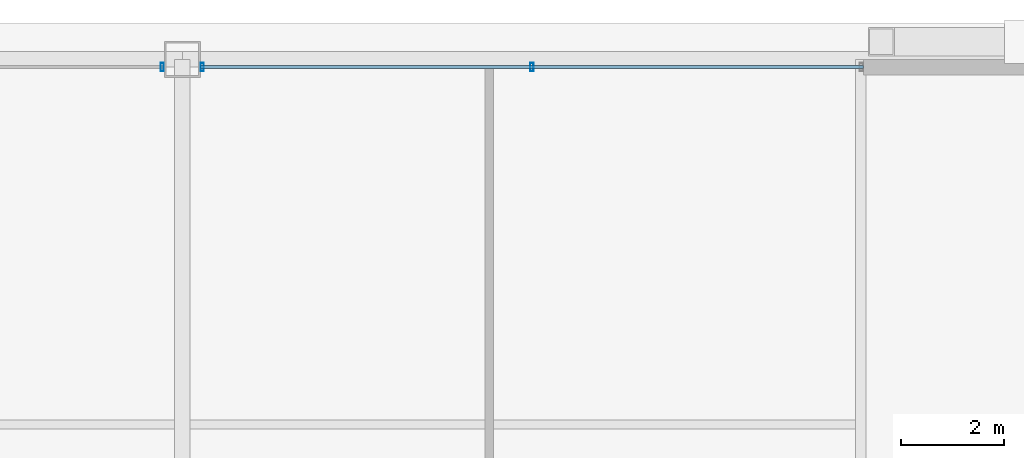
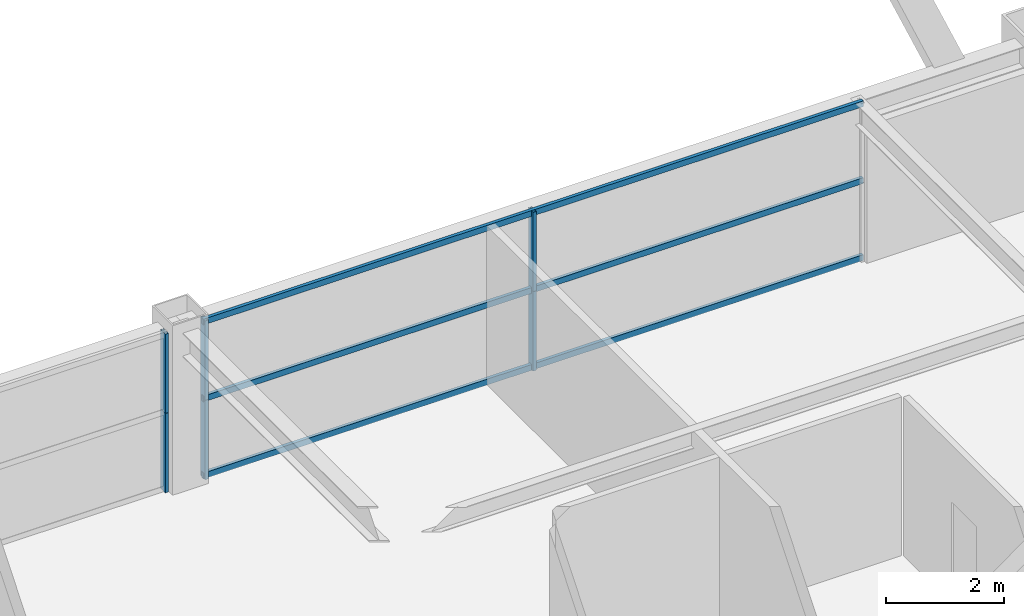
# One storey, part 26 of 34: 9 members, 2 elements without a shape of their own.
"""IFC4 building model written with IfcOpenShell, lengths in metres."""

from ifc_helpers import new_model, si_unit, direction, frame, origin, origin_2d, place, context, subcontext, project, spatial, hollow_rectangle, extrude, source, transform, mapped, material, layer, layer_set, material_profile, profile_set, type_object, element, aggregate, save


model = new_model("IFC4")

# Units and contexts
model_context = context("Model", 3, precision=1e-05, world=origin(), true_north=direction((0.0, 1.0)))
body_context = subcontext(model_context, "Body", "Model", "MODEL_VIEW")
ifc_project = project(units=[si_unit("LENGTHUNIT", "METRE"), si_unit("AREAUNIT", "SQUARE_METRE"), si_unit("VOLUMEUNIT", "CUBIC_METRE"), si_unit("PLANEANGLEUNIT", "RADIAN"), si_unit("MASSUNIT", "GRAM", prefix="KILO"), si_unit("THERMODYNAMICTEMPERATUREUNIT", "KELVIN"), si_unit("POWERUNIT", "WATT")], contexts=[model_context])

# Site, building, storey
site_placement = place(None, origin())
site = spatial("IfcSite", under=ifc_project, at=site_placement, CompositionType="ELEMENT")
building_placement = place(site_placement, origin())
building = spatial("IfcBuilding", under=site, at=building_placement, Name="Yuzanri Waterfront Tower", CompositionType="ELEMENT")
storey_placement = place(building_placement, frame((0.0, 0.0, 241.60009765625)))
storey = spatial("IfcBuildingStorey", under=building, at=storey_placement, Name="L64", CompositionType="ELEMENT", Elevation=241.60009765625)

# Curtain wall, members
ifc_material_1 = material(Name="Anodized Architectural Bronze", Category="metal")
ifc_layer = layer(ifc_material_1, 0.159912109375)
ifc_layer_set = layer_set([ifc_layer], Name="Anodized Architectural Bronze")
curtain_wall_type = type_object("IfcCurtainWallType", Name="Anodized Bronze Mid-Rise Residential Acoustic Unitized Curtain Wall 7200", PredefinedType="NOTDEFINED", material=ifc_layer_set)
curtain_wall_1_placement = place(storey_placement, origin())
curtain_wall_1 = element("IfcCurtainWall", 1, at=curtain_wall_1_placement, inside=storey, type_object=curtain_wall_type, Name="L64 Curtain Wall CW-L64-NL", PredefinedType="NOTDEFINED")
ifc_material_2 = material(Name="Anodized Architectural Bronze", Category="metal")
ifc_material_profile_1 = material_profile(ifc_material_2, hollow_rectangle(XDim=0.06494140625, YDim=0.159912109375, WallThickness=0.00341796875, at=origin_2d()), Name="CWM 65x160")
ifc_profile_set_1 = profile_set([ifc_material_profile_1], Name="Anodized Architectural Bronze")
member_type_1 = type_object("IfcMemberType", Name="Anodized Bronze Upper-Zone Curtain-Wall Mullion 65x160", PredefinedType="MULLION", material=ifc_profile_set_1)
shared_shape_1 = source(origin(), body_context, "Body", "SweptSolid", [
    extrude(hollow_rectangle(XDim=0.06494140625, YDim=0.159912109375, WallThickness=0.00341796875, at=origin_2d()), origin(), (0.0, 0.0, 1.0), 1.637939453125),
])
member_1_placement = place(storey_placement, frame((36.610107421875, 46.25, 0.0), z_axis=(0.0, 0.0, 1.0), x_axis=(1.0, 0.0, 0.0)))
member_1 = element("IfcMember", 2, at=member_1_placement, type_object=member_type_1, Name="CW-L64-NL Lower Mullion 02", PredefinedType="MULLION", context=body_context, shape_type="MappedRepresentation", body=[
    mapped(shared_shape_1, transform((0.0, 0.0, 0.0), scale=1.0)),
])
member_2_placement = place(storey_placement, frame((36.610107421875, 46.25, 1.641845703125), z_axis=(0.0, 0.0, 1.0), x_axis=(1.0, 0.0, 0.0)))
member_2 = element("IfcMember", 3, at=member_2_placement, type_object=member_type_1, Name="CW-L64-NL Upper Mullion 02", PredefinedType="MULLION", context=body_context, shape_type="MappedRepresentation", body=[
    mapped(shared_shape_1, transform((0.0, 0.0, 0.0), scale=1.0)),
])
aggregate(curtain_wall_1, [member_1, member_2])

curtain_wall_2_placement = place(storey_placement, origin())
curtain_wall_2 = element("IfcCurtainWall", 4, at=curtain_wall_2_placement, inside=storey, type_object=curtain_wall_type, Name="L64 Curtain Wall CW-L64-NR", PredefinedType="NOTDEFINED")
member_3_placement = place(storey_placement, frame((37.389892578125, 46.25, 0.0), z_axis=(0.0, 0.0, 1.0), x_axis=(1.0, 0.0, 0.0)))
member_3 = element("IfcMember", 5, at=member_3_placement, type_object=member_type_1, Name="CW-L64-NR Lower Mullion 00", PredefinedType="MULLION", context=body_context, shape_type="MappedRepresentation", body=[
    mapped(shared_shape_1, transform((0.0, 0.0, 0.0), scale=1.0)),
])
member_4_placement = place(storey_placement, frame((37.389892578125, 46.25, 1.641845703125), z_axis=(0.0, 0.0, 1.0), x_axis=(1.0, 0.0, 0.0)))
member_4 = element("IfcMember", 6, at=member_4_placement, type_object=member_type_1, Name="CW-L64-NR Upper Mullion 00", PredefinedType="MULLION", context=body_context, shape_type="MappedRepresentation", body=[
    mapped(shared_shape_1, transform((0.0, 0.0, 0.0), scale=1.0)),
])
member_5_placement = place(storey_placement, frame((43.800048828125, 46.25, 0.0), z_axis=(0.0, 0.0, 1.0), x_axis=(1.0, 0.0, 0.0)))
member_5 = element("IfcMember", 7, at=member_5_placement, type_object=member_type_1, Name="CW-L64-NR Lower Mullion 01", PredefinedType="MULLION", context=body_context, shape_type="MappedRepresentation", body=[
    mapped(shared_shape_1, transform((0.0, 0.0, 0.0), scale=1.0)),
])
member_6_placement = place(storey_placement, frame((43.800048828125, 46.25, 1.641845703125), z_axis=(0.0, 0.0, 1.0), x_axis=(1.0, 0.0, 0.0)))
member_6 = element("IfcMember", 8, at=member_6_placement, type_object=member_type_1, Name="CW-L64-NR Upper Mullion 01", PredefinedType="MULLION", context=body_context, shape_type="MappedRepresentation", body=[
    mapped(shared_shape_1, transform((0.0, 0.0, 0.0), scale=1.0)),
])
ifc_material_3 = material(Name="Anodized Architectural Bronze", Category="metal")
ifc_material_profile_2 = material_profile(ifc_material_3, hollow_rectangle(XDim=0.06494140625, YDim=0.1201171875, WallThickness=0.00341796875, at=origin_2d()), Name="CWT 65x120")
ifc_profile_set_2 = profile_set([ifc_material_profile_2], Name="Anodized Architectural Bronze")
member_type_2 = type_object("IfcMemberType", Name="Anodized Bronze Secondary Curtain-Wall Transom 65x120", PredefinedType="USERDEFINED", material=ifc_profile_set_2)
shared_shape_2 = source(origin(), body_context, "Body", "SweptSolid", [
    extrude(hollow_rectangle(XDim=0.06494140625, YDim=0.1201171875, WallThickness=0.00341796875, at=origin_2d()), origin(), (0.0, 0.0, 1.0), 12.89990234375),
])
member_7_placement = place(storey_placement, frame((37.35009765625, 46.25, 0.0498046875), z_axis=(1.0, 0.0, 0.0), x_axis=(0.0, 1.0, 0.0)))
member_7 = element("IfcMember", 9, at=member_7_placement, type_object=member_type_2, Name="CW-L64-NR Transom 1", ObjectType="TRANSOM", PredefinedType="USERDEFINED", context=body_context, shape_type="MappedRepresentation", body=[
    mapped(shared_shape_2, transform((0.0, 0.0, 0.0), scale=1.0)),
])
member_8_placement = place(storey_placement, frame((37.35009765625, 46.25, 1.639892578125), z_axis=(1.0, 0.0, 0.0), x_axis=(0.0, 1.0, 0.0)))
member_8 = element("IfcMember", 10, at=member_8_placement, type_object=member_type_2, Name="CW-L64-NR Transom 2", ObjectType="TRANSOM", PredefinedType="USERDEFINED", context=body_context, shape_type="MappedRepresentation", body=[
    mapped(shared_shape_2, transform((0.0, 0.0, 0.0), scale=1.0)),
])
member_9_placement = place(storey_placement, frame((37.35009765625, 46.25, 3.22998046875), z_axis=(1.0, 0.0, 0.0), x_axis=(0.0, 1.0, 0.0)))
member_9 = element("IfcMember", 11, at=member_9_placement, type_object=member_type_2, Name="CW-L64-NR Transom 3", ObjectType="TRANSOM", PredefinedType="USERDEFINED", context=body_context, shape_type="MappedRepresentation", body=[
    mapped(shared_shape_2, transform((0.0, 0.0, 0.0), scale=1.0)),
])
aggregate(curtain_wall_2, [member_3, member_4, member_5, member_6, member_7, member_8, member_9])

save(model, "model.ifc")
